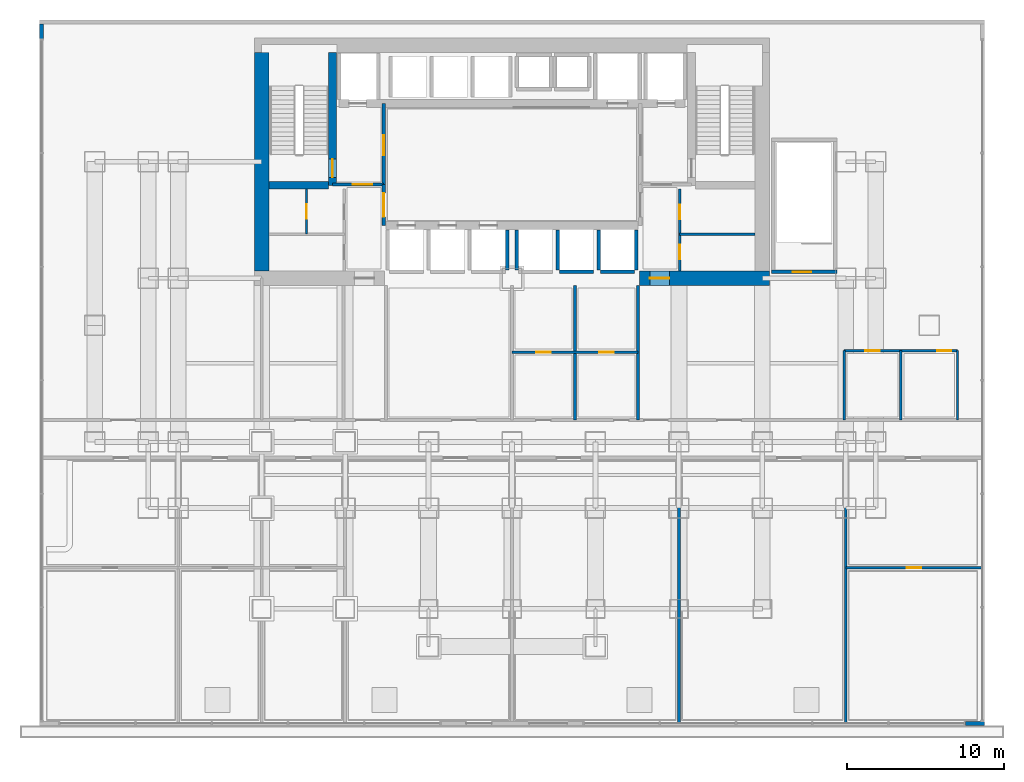
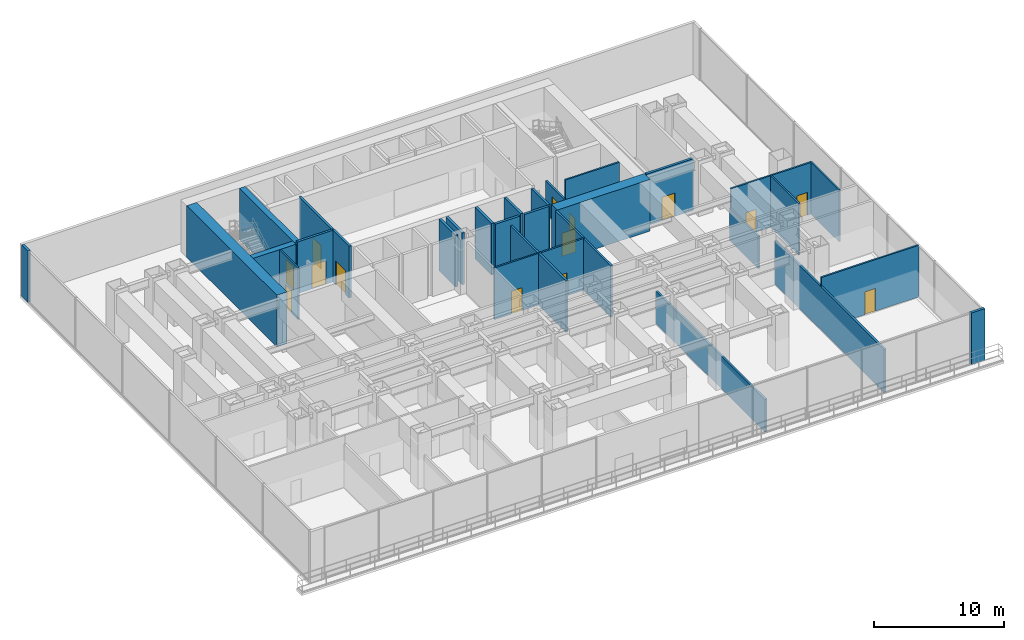
# One storey, part 9 of 12: 30 walls, 14 doors, 14 openings.
"""IFC4 building model written with IfcOpenShell, lengths in metres."""

from ifc_helpers import new_model, si_unit, direction, frame, frame_2d, origin, place, context, subcontext, project, spatial, rectangle, extrude, material, layer, layer_set, type_object, element, fill, save


model = new_model("IFC4")

# Units and contexts
model_context = context("Model", 3, precision=1e-05, world=origin(), true_north=direction((0.0, 1.0)))
body_context = subcontext(model_context, "Body", "Model", "MODEL_VIEW")
ifc_project = project(units=[si_unit("LENGTHUNIT", "METRE"), si_unit("AREAUNIT", "SQUARE_METRE"), si_unit("VOLUMEUNIT", "CUBIC_METRE"), si_unit("PLANEANGLEUNIT", "RADIAN"), si_unit("MASSUNIT", "GRAM", prefix="KILO")], contexts=[model_context])

# Site, building, storey
site_placement = place(None, origin())
site = spatial("IfcSite", under=ifc_project, at=site_placement, CompositionType="ELEMENT")
building_placement = place(site_placement, origin())
building = spatial("IfcBuilding", under=site, at=building_placement, Name="Qianlan Lanfeng Residences", CompositionType="ELEMENT")
storey_placement = place(building_placement, frame((0.0, 0.0, 19.0)))
storey = spatial("IfcBuildingStorey", under=building, at=storey_placement, Name="L04", CompositionType="ELEMENT", Elevation=19.0)

# Wall, opening, door
ifc_material_1 = material(Name="Concrete C70", Category="concrete")
ifc_layer_1 = layer(ifc_material_1, 0.5)
ifc_layer_set_1 = layer_set([ifc_layer_1], Name="Concrete C70")
wall_type_1 = type_object("IfcWallType", Name="CW-RC-500", PredefinedType="SHEAR", material=ifc_layer_set_1)
wall_1_placement = place(storey_placement, frame((15.10009765625, 31.10009765625, 0.0), z_axis=(0.0, 0.0, 1.0), x_axis=(0.0, 1.0, 0.0)))
wall_1 = element("IfcWall", 1, at=wall_1_placement, inside=storey, type_object=wall_type_1, Name="L04 Core Shear Wall ST1E", PredefinedType="SHEAR", context=body_context, shape_type="SweptSolid", body=[
    extrude(rectangle(XDim=8.449951171875, YDim=0.5, at=frame_2d((4.22509765625, 0.0))), origin(), (0.0, 0.0, 1.0), 4.860107421875),
])
opening_1_placement = place(wall_1_placement, frame((0.510009765625, 0.0, 0.0)))
opening_1 = element("IfcOpeningElement", 2, at=opening_1_placement, cuts=wall_1, Name="Opening L04-D07", PredefinedType="OPENING", context=body_context, shape_type="SweptSolid", body=[
    extrude(rectangle(XDim=1.14990234375, YDim=2.199951171875, at=frame_2d((0.574951171875, 1.10009765625))), frame((0.0, 0.260009765625, 0.0), z_axis=(0.0, -1.0, 0.0), x_axis=(1.0, 0.0, 0.0)), (0.0, 0.0, 1.0), 0.52001953125),
])
ifc_material_2 = material(Name="Painted Galvanised Steel Fire Door", Category="steel")
door_type_1 = type_object("IfcDoorType", Name="DT-ST1", OperationType="NOTDEFINED", PredefinedType="DOOR", material=ifc_material_2)
door_1_placement = place(opening_1_placement, frame((1.14990234375, 0.0, 0.0), z_axis=(0.0, 0.0, 1.0), x_axis=(-1.0, 0.0, 0.0)))
door_1 = element("IfcDoor", 3, at=door_1_placement, inside=storey, type_object=door_type_1, Name="L04 Exit Stair ST-1 Door L04-D07 (DT-ST1)", OperationType="SINGLE_SWING_RIGHT", OverallHeight=2.199951171875, OverallWidth=1.14990234375, PredefinedType="DOOR", context=body_context, shape_type="SweptSolid", body=[
    extrude(rectangle(XDim=1.14990234375, YDim=2.199951171875, at=frame_2d((0.574951171875, 1.10009765625))), frame((0.0, 0.02490234375, 0.0), z_axis=(0.0, -1.0, 0.0), x_axis=(1.0, 0.0, 0.0)), (0.0, 0.0, 1.0), 0.050048828125),
])
fill(opening_1, door_1)

# Walls
wall_2_placement = place(storey_placement, frame((11.050048828125, 31.10009765625, 0.0), z_axis=(0.0, 0.0, 1.0), x_axis=(1.0, 0.0, 0.0)))
element("IfcWall", 4, at=wall_2_placement, inside=storey, type_object=wall_type_1, Name="L04 Core Shear Wall ST1S", PredefinedType="SHEAR", context=body_context, shape_type="SweptSolid", body=[
    extrude(rectangle(XDim=3.800048828125, YDim=0.5, at=frame_2d((1.89990234375, 0.0))), origin(), (0.0, 0.0, 1.0), 4.860107421875),
])
ifc_layer_2 = layer(ifc_material_1, 0.89990234375)
ifc_layer_set_2 = layer_set([ifc_layer_2], Name="Concrete C70")
wall_type_2 = type_object("IfcWallType", Name="CW-RC-900", PredefinedType="SHEAR", material=ifc_layer_set_2)
wall_3_placement = place(storey_placement, frame((10.60009765625, 25.64990234375, 0.0), z_axis=(0.0, 0.0, 1.0), x_axis=(0.0, 1.0, 0.0)))
element("IfcWall", 5, at=wall_3_placement, inside=storey, type_object=wall_type_2, Name="L04 Core Shear Wall W", PredefinedType="SHEAR", context=body_context, shape_type="SweptSolid", body=[
    extrude(rectangle(XDim=13.900146484375, YDim=0.89990234375, at=frame_2d((6.9501953125, 0.0))), origin(), (0.0, 0.0, 1.0), 4.860107421875),
])

# Wall, opening, door
wall_4_placement = place(storey_placement, frame((34.60009765625, 25.199951171875, 0.0), z_axis=(0.0, 0.0, 1.0), x_axis=(1.0, 0.0, 0.0)))
wall_4 = element("IfcWall", 6, at=wall_4_placement, inside=storey, type_object=wall_type_2, Name="L04 Core Shear Wall SE", PredefinedType="SHEAR", context=body_context, shape_type="SweptSolid", body=[
    extrude(rectangle(XDim=8.25, YDim=0.89990234375, at=frame_2d((4.125, 0.0))), origin(), (0.0, 0.0, 1.0), 4.860107421875),
])
opening_2_placement = place(wall_4_placement, frame((0.64990234375, 0.0, 0.0)))
opening_2 = element("IfcOpeningElement", 7, at=opening_2_placement, cuts=wall_4, Name="Opening L04-D02", PredefinedType="OPENING", context=body_context, shape_type="SweptSolid", body=[
    extrude(rectangle(XDim=1.25, YDim=2.199951171875, at=frame_2d((0.625, 1.10009765625))), frame((0.0, 0.4599609375, 0.0), z_axis=(0.0, -1.0, 0.0), x_axis=(1.0, 0.0, 0.0)), (0.0, 0.0, 1.0), 0.919921875),
])
door_type_2 = type_object("IfcDoorType", Name="DT-FFL", OperationType="NOTDEFINED", PredefinedType="DOOR", material=ifc_material_2)
door_2_placement = place(opening_2_placement, frame((1.25, 0.0, 0.0), z_axis=(0.0, 0.0, 1.0), x_axis=(-1.0, 0.0, 0.0)))
door_2 = element("IfcDoor", 8, at=door_2_placement, inside=storey, type_object=door_type_2, Name="L04 East Core Lobby Smoke Door L04-D02 (DT-FFL)", OperationType="SINGLE_SWING_LEFT", OverallHeight=2.199951171875, OverallWidth=1.25, PredefinedType="DOOR", context=body_context, shape_type="SweptSolid", body=[
    extrude(rectangle(XDim=1.25, YDim=2.199951171875, at=frame_2d((0.625, 1.10009765625))), frame((0.0, 0.02490234375, 0.0), z_axis=(0.0, -1.0, 0.0), x_axis=(1.0, 0.0, 0.0)), (0.0, 0.0, 1.0), 0.050048828125),
])
fill(opening_2, door_2)

# Walls
ifc_material_3 = material(Name="Concrete C42", Category="concrete")
ifc_layer_3 = layer(ifc_material_3, 0.239990234375)
ifc_layer_set_3 = layer_set([ifc_layer_3], Name="Concrete C42")
wall_type_3 = type_object("IfcWallType", Name="EW-240", PredefinedType="SOLIDWALL", material=ifc_layer_set_3)
wall_5_placement = place(storey_placement, frame((55.300048828125, -3.080078125, 0.0), z_axis=(0.0, 0.0, 1.0), x_axis=(1.0, 0.0, 0.0)))
element("IfcWall", 9, at=wall_5_placement, inside=storey, type_object=wall_type_3, Name="L04 SE Corner Pier", PredefinedType="SOLIDWALL", context=body_context, shape_type="SweptSolid", body=[
    extrude(rectangle(XDim=1.199951171875, YDim=0.239990234375, at=frame_2d((0.60009765625, 0.0))), origin(), (0.0, 0.0, 1.0), 4.860107421875),
])
wall_6_placement = place(storey_placement, frame((-3.3798828125, 41.340087890625, 0.0), z_axis=(0.0, 0.0, 1.0), x_axis=(0.0, -1.0, 0.0)))
element("IfcWall", 10, at=wall_6_placement, inside=storey, type_object=wall_type_3, Name="L04 NW Corner Pier", PredefinedType="SOLIDWALL", context=body_context, shape_type="SweptSolid", body=[
    extrude(rectangle(XDim=0.940185546875, YDim=0.239990234375, at=frame_2d((0.47021484375, 0.0))), origin(), (0.0, 0.0, 1.0), 4.860107421875),
])

# Wall, opening, door
ifc_material_4 = material(Name="Acoustic Drywall Partition 150 mm")
ifc_layer_4 = layer(ifc_material_4, 0.14990234375)
ifc_layer_set_4 = layer_set([ifc_layer_4], Name="Acoustic Drywall Partition 150 mm")
wall_type_4 = type_object("IfcWallType", Name="PW-150", PredefinedType="PARTITIONING", material=ifc_layer_set_4)
wall_7_placement = place(storey_placement, frame((13.449951171875, 28.0, 0.0), z_axis=(0.0, 0.0, 1.0), x_axis=(0.0, 1.0, 0.0)))
wall_7 = element("IfcWall", 11, at=wall_7_placement, inside=storey, type_object=wall_type_4, Name="L04 Core West V4", PredefinedType="PARTITIONING", context=body_context, shape_type="SweptSolid", body=[
    extrude(rectangle(XDim=2.85009765625, YDim=0.14990234375, at=frame_2d((1.425048828125, 0.0))), origin(), (0.0, 0.0, 1.0), 4.860107421875),
])
opening_3_placement = place(wall_7_placement, frame((0.965087890625, 0.0, 0.0)))
opening_3 = element("IfcOpeningElement", 12, at=opening_3_placement, cuts=wall_7, Name="Opening L04-D11", PredefinedType="OPENING", context=body_context, shape_type="SweptSolid", body=[
    extrude(rectangle(XDim=0.919921875, YDim=2.14990234375, at=frame_2d((0.4599609375, 1.074951171875))), frame((0.0, 0.0849609375, 0.0), z_axis=(0.0, -1.0, 0.0), x_axis=(1.0, 0.0, 0.0)), (0.0, 0.0, 1.0), 0.169921875),
])
ifc_material_5 = material(Name="Glazed Timber Kitchen/Study Door", Category="wood")
door_type_3 = type_object("IfcDoorType", Name="DT-INT", OperationType="NOTDEFINED", PredefinedType="DOOR", material=ifc_material_5)
door_3_placement = place(opening_3_placement, origin())
door_3 = element("IfcDoor", 13, at=door_3_placement, inside=storey, type_object=door_type_3, Name="L04 Linen Store Door L04-D11 (DT-INT)", OperationType="SINGLE_SWING_LEFT", OverallHeight=2.14990234375, OverallWidth=0.919921875, PredefinedType="DOOR", context=body_context, shape_type="SweptSolid", body=[
    extrude(rectangle(XDim=0.919921875, YDim=2.14990234375, at=frame_2d((0.4599609375, 1.074951171875))), frame((0.0, 0.02490234375, 0.0), z_axis=(0.0, -1.0, 0.0), x_axis=(1.0, 0.0, 0.0)), (0.0, 0.0, 1.0), 0.050048828125),
])
fill(opening_3, door_3)

# Wall
wall_8_placement = place(storey_placement, frame((37.14990234375, 28.0, 0.0), z_axis=(0.0, 0.0, 1.0), x_axis=(1.0, 0.0, 0.0)))
element("IfcWall", 14, at=wall_8_placement, inside=storey, type_object=wall_type_4, Name="L04 Core East H4", PredefinedType="PARTITIONING", context=body_context, shape_type="SweptSolid", body=[
    extrude(rectangle(XDim=4.800048828125, YDim=0.14990234375, at=frame_2d((2.39990234375, 0.0))), origin(), (0.0, 0.0, 1.0), 4.860107421875),
])

# Wall, opening, door
wall_9_placement = place(storey_placement, frame((47.699951171875, 6.800048828125, 0.0), z_axis=(0.0, 0.0, 1.0), x_axis=(1.0, 0.0, 0.0)))
wall_9 = element("IfcWall", 15, at=wall_9_placement, inside=storey, type_object=wall_type_4, Name="L04 Executive Suite Inner Wall 4", PredefinedType="PARTITIONING", context=body_context, shape_type="SweptSolid", body=[
    extrude(rectangle(XDim=8.679931640625, YDim=0.14990234375, at=frame_2d((4.33984375, 0.0))), origin(), (0.0, 0.0, 1.0), 4.860107421875),
])
opening_4_placement = place(wall_9_placement, frame((3.8798828125, 0.0, 0.0)))
opening_4 = element("IfcOpeningElement", 16, at=opening_4_placement, cuts=wall_9, Name="Opening L04-D20", PredefinedType="OPENING", context=body_context, shape_type="SweptSolid", body=[
    extrude(rectangle(XDim=0.919921875, YDim=2.14990234375, at=frame_2d((0.4599609375, 1.074951171875))), frame((0.0, 0.0849609375, 0.0), z_axis=(0.0, -1.0, 0.0), x_axis=(1.0, 0.0, 0.0)), (0.0, 0.0, 1.0), 0.169921875),
])
door_4_placement = place(opening_4_placement, origin())
door_4 = element("IfcDoor", 17, at=door_4_placement, inside=storey, type_object=door_type_3, Name="L04 Executive Salon 4 Door L04-D20 (DT-INT)", OperationType="SINGLE_SWING_RIGHT", OverallHeight=2.14990234375, OverallWidth=0.919921875, PredefinedType="DOOR", context=body_context, shape_type="SweptSolid", body=[
    extrude(rectangle(XDim=0.919921875, YDim=2.14990234375, at=frame_2d((0.4599609375, 1.074951171875))), frame((0.0, 0.02490234375, 0.0), z_axis=(0.0, -1.0, 0.0), x_axis=(1.0, 0.0, 0.0)), (0.0, 0.0, 1.0), 0.050048828125),
])
fill(opening_4, door_4)

# Wall, openings, doors
wall_10_placement = place(storey_placement, frame((26.5, 20.5, 0.0), z_axis=(0.0, 0.0, 1.0), x_axis=(1.0, 0.0, 0.0)))
wall_10 = element("IfcWall", 18, at=wall_10_placement, inside=storey, type_object=wall_type_4, Name="L04 Catering Kitchen Back Wall", PredefinedType="PARTITIONING", context=body_context, shape_type="SweptSolid", body=[
    extrude(rectangle(XDim=8.0, YDim=0.14990234375, at=frame_2d((4.0, 0.0))), origin(), (0.0, 0.0, 1.0), 4.860107421875),
])
opening_5_placement = place(wall_10_placement, frame((1.5400390625, 0.0, 0.0)))
opening_5 = element("IfcOpeningElement", 19, at=opening_5_placement, cuts=wall_10, Name="Opening L04-D28", PredefinedType="OPENING", context=body_context, shape_type="SweptSolid", body=[
    extrude(rectangle(XDim=0.919921875, YDim=2.14990234375, at=frame_2d((0.4599609375, 1.074951171875))), frame((0.0, 0.0849609375, 0.0), z_axis=(0.0, -1.0, 0.0), x_axis=(1.0, 0.0, 0.0)), (0.0, 0.0, 1.0), 0.169921875),
])
opening_6_placement = place(wall_10_placement, frame((5.5400390625, 0.0, 0.0)))
opening_6 = element("IfcOpeningElement", 20, at=opening_6_placement, cuts=wall_10, Name="Opening L04-D29", PredefinedType="OPENING", context=body_context, shape_type="SweptSolid", body=[
    extrude(rectangle(XDim=0.919921875, YDim=2.14990234375, at=frame_2d((0.4599609375, 1.074951171875))), frame((0.0, 0.0849609375, 0.0), z_axis=(0.0, -1.0, 0.0), x_axis=(1.0, 0.0, 0.0)), (0.0, 0.0, 1.0), 0.169921875),
])
door_5_placement = place(opening_5_placement, origin())
door_5 = element("IfcDoor", 21, at=door_5_placement, inside=storey, type_object=door_type_3, Name="L04 Pantry Prep Kitchen Door L04-D28 (DT-INT)", OperationType="SINGLE_SWING_RIGHT", OverallHeight=2.14990234375, OverallWidth=0.919921875, PredefinedType="DOOR", context=body_context, shape_type="SweptSolid", body=[
    extrude(rectangle(XDim=0.919921875, YDim=2.14990234375, at=frame_2d((0.4599609375, 1.074951171875))), frame((0.0, 0.02490234375, 0.0), z_axis=(0.0, -1.0, 0.0), x_axis=(1.0, 0.0, 0.0)), (0.0, 0.0, 1.0), 0.050048828125),
])
fill(opening_5, door_5)
door_6_placement = place(opening_6_placement, origin())
door_6 = element("IfcDoor", 22, at=door_6_placement, inside=storey, type_object=door_type_3, Name="L04 Club Reading Salon Inner Door L04-D29 (DT-INT)", OperationType="SINGLE_SWING_LEFT", OverallHeight=2.14990234375, OverallWidth=0.919921875, PredefinedType="DOOR", context=body_context, shape_type="SweptSolid", body=[
    extrude(rectangle(XDim=0.919921875, YDim=2.14990234375, at=frame_2d((0.4599609375, 1.074951171875))), frame((0.0, 0.02490234375, 0.0), z_axis=(0.0, -1.0, 0.0), x_axis=(1.0, 0.0, 0.0)), (0.0, 0.0, 1.0), 0.050048828125),
])
fill(opening_6, door_6)

# Walls
wall_11_placement = place(storey_placement, frame((47.60009765625, 16.199951171875, 0.0), z_axis=(0.0, 0.0, 1.0), x_axis=(0.0, 1.0, 0.0)))
element("IfcWall", 23, at=wall_11_placement, inside=storey, type_object=wall_type_4, Name="L04 Restroom West Wall", PredefinedType="PARTITIONING", context=body_context, shape_type="SweptSolid", body=[
    extrude(rectangle(XDim=4.400146484375, YDim=0.14990234375, at=frame_2d((2.2001953125, 0.0))), origin(), (0.0, 0.0, 1.0), 3.054931640625),
])
for number, where, z_axis, x_axis, name in (
    (24, (51.199951171875, 16.199951171875, 0.0), (0.0, 0.0, 1.0), (0.0, 1.0, 0.0), "L04 Restroom Divider"),
    (25, (54.800048828125, 16.199951171875, 0.0), (0.0, 0.0, 1.0), (0.0, 1.0, 0.0), "L04 Restroom East Wall"),
):
    element("IfcWall", number, at=place(storey_placement, frame(where, z_axis=z_axis, x_axis=x_axis)), inside=storey, type_object=wall_type_4, Name=name, PredefinedType="PARTITIONING", context=body_context, shape_type="SweptSolid", body=[
        extrude(rectangle(XDim=4.400146484375, YDim=0.14990234375, at=frame_2d((2.2001953125, 0.0))), origin(), (0.0, 0.0, 1.0), 4.860107421875),
    ])

# Wall, openings, doors
wall_12_placement = place(storey_placement, frame((47.60009765625, 20.60009765625, 0.0), z_axis=(0.0, 0.0, 1.0), x_axis=(1.0, 0.0, 0.0)))
wall_12 = element("IfcWall", 26, at=wall_12_placement, inside=storey, type_object=wall_type_4, Name="L04 Restroom North Wall", PredefinedType="PARTITIONING", context=body_context, shape_type="SweptSolid", body=[
    extrude(rectangle(XDim=7.199951171875, YDim=0.14990234375, at=frame_2d((3.60009765625, 0.0))), origin(), (0.0, 0.0, 1.0), 4.860107421875),
])
opening_7_placement = place(wall_12_placement, frame((1.35009765625, 0.0, 0.0)))
opening_7 = element("IfcOpeningElement", 27, at=opening_7_placement, cuts=wall_12, Name="Opening L04-D38", PredefinedType="OPENING", context=body_context, shape_type="SweptSolid", body=[
    extrude(rectangle(XDim=0.89990234375, YDim=2.14990234375, at=frame_2d((0.449951171875, 1.074951171875))), frame((0.0, 0.0849609375, 0.0), z_axis=(0.0, -1.0, 0.0), x_axis=(1.0, 0.0, 0.0)), (0.0, 0.0, 1.0), 0.169921875),
])
opening_8_placement = place(wall_12_placement, frame((5.89990234375, 0.0, 0.0)))
opening_8 = element("IfcOpeningElement", 28, at=opening_8_placement, cuts=wall_12, Name="Opening L04-D39", PredefinedType="OPENING", context=body_context, shape_type="SweptSolid", body=[
    extrude(rectangle(XDim=0.89990234375, YDim=2.14990234375, at=frame_2d((0.449951171875, 1.074951171875))), frame((0.0, 0.0849609375, 0.0), z_axis=(0.0, -1.0, 0.0), x_axis=(1.0, 0.0, 0.0)), (0.0, 0.0, 1.0), 0.169921875),
])
ifc_material_6 = material(Name="Moisture-Resistant Timber Leaf", Category="wood")
door_type_4 = type_object("IfcDoorType", Name="DT-WC", OperationType="NOTDEFINED", PredefinedType="DOOR", material=ifc_material_6)
door_7_placement = place(opening_7_placement, origin())
door_7 = element("IfcDoor", 29, at=door_7_placement, inside=storey, type_object=door_type_4, Name="L04 Podium Public Restroom Door L04-D38 (DT-WC)", OperationType="SINGLE_SWING_RIGHT", OverallHeight=2.14990234375, OverallWidth=0.89990234375, PredefinedType="DOOR", context=body_context, shape_type="SweptSolid", body=[
    extrude(rectangle(XDim=0.89990234375, YDim=2.14990234375, at=frame_2d((0.449951171875, 1.074951171875))), frame((0.0, 0.02490234375, 0.0), z_axis=(0.0, -1.0, 0.0), x_axis=(1.0, 0.0, 0.0)), (0.0, 0.0, 1.0), 0.050048828125),
])
fill(opening_7, door_7)
door_8_placement = place(opening_8_placement, frame((0.89990234375, 0.0, 0.0), z_axis=(0.0, 0.0, 1.0), x_axis=(-1.0, 0.0, 0.0)))
door_8 = element("IfcDoor", 30, at=door_8_placement, inside=storey, type_object=door_type_4, Name="L04 Podium Accessible WC Door L04-D39 (DT-WC)", OperationType="SINGLE_SWING_LEFT", OverallHeight=2.14990234375, OverallWidth=0.89990234375, PredefinedType="DOOR", context=body_context, shape_type="SweptSolid", body=[
    extrude(rectangle(XDim=0.89990234375, YDim=2.14990234375, at=frame_2d((0.449951171875, 1.074951171875))), frame((0.0, 0.02490234375, 0.0), z_axis=(0.0, -1.0, 0.0), x_axis=(1.0, 0.0, 0.0)), (0.0, 0.0, 1.0), 0.050048828125),
])
fill(opening_8, door_8)

ifc_material_7 = material(Name="Double-Layer Acoustic Gypsum Stud Wall 180 mm")
ifc_layer_5 = layer(ifc_material_7, 0.179931640625)
ifc_layer_set_5 = layer_set([ifc_layer_5], Name="Double-Layer Acoustic Gypsum Stud Wall 180 mm")
wall_type_5 = type_object("IfcWallType", Name="PW-180", PredefinedType="PARTITIONING", material=ifc_layer_set_5)
wall_13_placement = place(storey_placement, frame((37.14990234375, 25.64990234375, 0.0), z_axis=(0.0, 0.0, 1.0), x_axis=(0.0, 1.0, 0.0)))
wall_13 = element("IfcWall", 31, at=wall_13_placement, inside=storey, type_object=wall_type_5, Name="L04 Core East Service Room Wall", PredefinedType="PARTITIONING", context=body_context, shape_type="SweptSolid", body=[
    extrude(rectangle(XDim=5.2001953125, YDim=0.179931640625, at=frame_2d((2.60009765625, 0.0))), origin(), (0.0, 0.0, 1.0), 3.054931640625),
])
opening_9_placement = place(wall_13_placement, frame((0.739990234375, 0.0, 0.0)))
opening_9 = element("IfcOpeningElement", 32, at=opening_9_placement, cuts=wall_13, Name="Opening L04-D12", PredefinedType="OPENING", context=body_context, shape_type="SweptSolid", body=[
    extrude(rectangle(XDim=0.919921875, YDim=2.14990234375, at=frame_2d((0.4599609375, 1.074951171875))), frame((0.0, 0.10009765625, 0.0), z_axis=(0.0, -1.0, 0.0), x_axis=(1.0, 0.0, 0.0)), (0.0, 0.0, 1.0), 0.199951171875),
])
opening_10_placement = place(wall_13_placement, frame((3.2900390625, 0.0, 0.0)))
opening_10 = element("IfcOpeningElement", 33, at=opening_10_placement, cuts=wall_13, Name="Opening L04-D13", PredefinedType="OPENING", context=body_context, shape_type="SweptSolid", body=[
    extrude(rectangle(XDim=0.919921875, YDim=2.14990234375, at=frame_2d((0.4599609375, 1.074951171875))), frame((0.0, 0.10009765625, 0.0), z_axis=(0.0, -1.0, 0.0), x_axis=(1.0, 0.0, 0.0)), (0.0, 0.0, 1.0), 0.199951171875),
])
door_9_placement = place(opening_9_placement, origin())
door_9 = element("IfcDoor", 34, at=door_9_placement, inside=storey, type_object=door_type_3, Name="L04 Mail Closet Door L04-D12 (DT-INT)", OperationType="SINGLE_SWING_LEFT", OverallHeight=2.14990234375, OverallWidth=0.919921875, PredefinedType="DOOR", context=body_context, shape_type="SweptSolid", body=[
    extrude(rectangle(XDim=0.919921875, YDim=2.14990234375, at=frame_2d((0.4599609375, 1.074951171875))), frame((0.0, 0.02490234375, 0.0), z_axis=(0.0, -1.0, 0.0), x_axis=(1.0, 0.0, 0.0)), (0.0, 0.0, 1.0), 0.050048828125),
])
fill(opening_9, door_9)
door_10_placement = place(opening_10_placement, origin())
door_10 = element("IfcDoor", 35, at=door_10_placement, inside=storey, type_object=door_type_3, Name="L04 Refuse Closet Door L04-D13 (DT-INT)", OperationType="SINGLE_SWING_LEFT", OverallHeight=2.14990234375, OverallWidth=0.919921875, PredefinedType="DOOR", context=body_context, shape_type="SweptSolid", body=[
    extrude(rectangle(XDim=0.919921875, YDim=2.14990234375, at=frame_2d((0.4599609375, 1.074951171875))), frame((0.0, 0.02490234375, 0.0), z_axis=(0.0, -1.0, 0.0), x_axis=(1.0, 0.0, 0.0)), (0.0, 0.0, 1.0), 0.050048828125),
])
fill(opening_10, door_10)

# Walls
wall_14_placement = place(storey_placement, frame((37.10009765625, -3.080078125, 0.0), z_axis=(0.0, 0.0, 1.0), x_axis=(0.0, 1.0, 0.0)))
element("IfcWall", 36, at=wall_14_placement, inside=storey, type_object=wall_type_5, Name="L04 South Suite Partition 5", PredefinedType="PARTITIONING", context=body_context, shape_type="SweptSolid", body=[
    extrude(rectangle(XDim=16.880126953125, YDim=0.179931640625, at=frame_2d((8.43994140625, 0.0))), origin(), (0.0, 0.0, 1.0), 3.054931640625),
])
wall_15_placement = place(storey_placement, frame((47.699951171875, -3.080078125, 0.0), z_axis=(0.0, 0.0, 1.0), x_axis=(0.0, 1.0, 0.0)))
element("IfcWall", 37, at=wall_15_placement, inside=storey, type_object=wall_type_5, Name="L04 South Suite Partition 6", PredefinedType="PARTITIONING", context=body_context, shape_type="SweptSolid", body=[
    extrude(rectangle(XDim=16.880126953125, YDim=0.179931640625, at=frame_2d((8.43994140625, 0.0))), origin(), (0.0, 0.0, 1.0), 4.054931640625),
])
for number, where, z_axis, x_axis, name in (
    (38, (30.5, 16.199951171875, 0.0), (0.0, 0.0, 1.0), (0.0, 1.0, 0.0), "L04 North Kitchen Split Wall"),
    (39, (34.5, 16.199951171875, 0.0), (0.0, 0.0, 1.0), (0.0, 1.0, 0.0), "L04 North Core East Passage Wall"),
):
    element("IfcWall", number, at=place(storey_placement, frame(where, z_axis=z_axis, x_axis=x_axis)), inside=storey, type_object=wall_type_5, Name=name, PredefinedType="PARTITIONING", context=body_context, shape_type="SweptSolid", body=[
        extrude(rectangle(XDim=8.550048828125, YDim=0.179931640625, at=frame_2d((4.27490234375, 0.0))), origin(), (0.0, 0.0, 1.0), 4.860107421875),
    ])

# Wall, opening, door
ifc_material_8 = material(Name="Autoclaved Aerated Concrete Blockwork 200 mm", Category="masonry")
ifc_layer_6 = layer(ifc_material_8, 0.199951171875)
ifc_layer_set_6 = layer_set([ifc_layer_6], Name="Autoclaved Aerated Concrete Blockwork 200 mm")
wall_type_6 = type_object("IfcWallType", Name="PW-200", PredefinedType="PARTITIONING", material=ifc_layer_set_6)
wall_16_placement = place(storey_placement, frame((15.10009765625, 31.14990234375, 0.0), z_axis=(0.0, 0.0, 1.0), x_axis=(1.0, 0.0, 0.0)))
wall_16 = element("IfcWall", 40, at=wall_16_placement, inside=storey, type_object=wall_type_6, Name="L04 Firefighting Lobby 1 South Wall", PredefinedType="PARTITIONING", context=body_context, shape_type="SweptSolid", body=[
    extrude(rectangle(XDim=3.25, YDim=0.199951171875, at=frame_2d((1.625, 0.0))), origin(), (0.0, 0.0, 1.0), 4.860107421875),
])
opening_11_placement = place(wall_16_placement, frame((1.27490234375, 0.0, 0.0)))
opening_11 = element("IfcOpeningElement", 41, at=opening_11_placement, cuts=wall_16, Name="Opening L04-D03", PredefinedType="OPENING", context=body_context, shape_type="SweptSolid", body=[
    extrude(rectangle(XDim=1.25, YDim=2.199951171875, at=frame_2d((0.625, 1.10009765625))), frame((0.0, 0.10986328125, 0.0), z_axis=(0.0, -1.0, 0.0), x_axis=(1.0, 0.0, 0.0)), (0.0, 0.0, 1.0), 0.219970703125),
])
door_11_placement = place(opening_11_placement, origin())
door_11 = element("IfcDoor", 42, at=door_11_placement, inside=storey, type_object=door_type_2, Name="L04 Firefighting Lobby 1 Entry Door L04-D03 (DT-FFL)", OperationType="SINGLE_SWING_LEFT", OverallHeight=2.199951171875, OverallWidth=1.25, PredefinedType="DOOR", context=body_context, shape_type="SweptSolid", body=[
    extrude(rectangle(XDim=1.25, YDim=2.199951171875, at=frame_2d((0.625, 1.10009765625))), frame((0.0, 0.02490234375, 0.0), z_axis=(0.0, -1.0, 0.0), x_axis=(1.0, 0.0, 0.0)), (0.0, 0.0, 1.0), 0.050048828125),
])
fill(opening_11, door_11)

wall_17_placement = place(storey_placement, frame((18.35009765625, 31.14990234375, 0.0), z_axis=(0.0, 0.0, 1.0), x_axis=(0.0, 1.0, 0.0)))
wall_17 = element("IfcWall", 43, at=wall_17_placement, inside=storey, type_object=wall_type_6, Name="L04 Firefighting Lobby 1 East Wall", PredefinedType="PARTITIONING", context=body_context, shape_type="SweptSolid", body=[
    extrude(rectangle(XDim=5.150146484375, YDim=0.199951171875, at=frame_2d((2.5751953125, 0.0))), origin(), (0.0, 0.0, 1.0), 4.860107421875),
])
opening_12_placement = place(wall_17_placement, frame((1.875, 0.0, 0.0)))
opening_12 = element("IfcOpeningElement", 44, at=opening_12_placement, cuts=wall_17, Name="Opening L04-D04", PredefinedType="OPENING", context=body_context, shape_type="SweptSolid", body=[
    extrude(rectangle(XDim=1.25, YDim=2.199951171875, at=frame_2d((0.625, 1.10009765625))), frame((0.0, 0.10986328125, 0.0), z_axis=(0.0, -1.0, 0.0), x_axis=(1.0, 0.0, 0.0)), (0.0, 0.0, 1.0), 0.219970703125),
])
door_12_placement = place(opening_12_placement, origin())
door_12 = element("IfcDoor", 45, at=door_12_placement, inside=storey, type_object=door_type_2, Name="L04 Firefighting Lobby 1 Lift Lobby Door L04-D04 (DT-FFL)", OperationType="SINGLE_SWING_RIGHT", OverallHeight=2.199951171875, OverallWidth=1.25, PredefinedType="DOOR", context=body_context, shape_type="SweptSolid", body=[
    extrude(rectangle(XDim=1.25, YDim=2.199951171875, at=frame_2d((0.625, 1.10009765625))), frame((0.0, 0.02490234375, 0.0), z_axis=(0.0, -1.0, 0.0), x_axis=(1.0, 0.0, 0.0)), (0.0, 0.0, 1.0), 0.050048828125),
])
fill(opening_12, door_12)

wall_18_placement = place(storey_placement, frame((18.35009765625, 28.550048828125, 0.0), z_axis=(0.0, 0.0, 1.0), x_axis=(0.0, 1.0, 0.0)))
wall_18 = element("IfcWall", 46, at=wall_18_placement, inside=storey, type_object=wall_type_6, Name="L04 Lift Lobby West Connector Wall", PredefinedType="PARTITIONING", context=body_context, shape_type="SweptSolid", body=[
    extrude(rectangle(XDim=2.599853515625, YDim=0.199951171875, at=frame_2d((1.2998046875, 0.0))), origin(), (0.0, 0.0, 1.0), 4.860107421875),
])
opening_13_placement = place(wall_18_placement, frame((0.550048828125, 0.0, 0.0)))
opening_13 = element("IfcOpeningElement", 47, at=opening_13_placement, cuts=wall_18, Name="Opening L04-D15", PredefinedType="OPENING", context=body_context, shape_type="SweptSolid", body=[
    extrude(rectangle(XDim=1.5, YDim=2.25, at=frame_2d((0.75, 1.125))), frame((0.0, 0.10986328125, 0.0), z_axis=(0.0, -1.0, 0.0), x_axis=(1.0, 0.0, 0.0)), (0.0, 0.0, 1.0), 0.219970703125),
])
ifc_material_9 = material(Name="Timber Veneer Acoustic Fire Door", Category="wood")
door_type_5 = type_object("IfcDoorType", Name="DT-COR1", OperationType="NOTDEFINED", PredefinedType="DOOR", material=ifc_material_9)
door_13_placement = place(opening_13_placement, origin())
door_13 = element("IfcDoor", 48, at=door_13_placement, inside=storey, type_object=door_type_5, Name="L04 Lift Lobby West Portal Door L04-D15 (DT-COR1)", OperationType="DOUBLE_DOOR_SINGLE_SWING", OverallHeight=2.25, OverallWidth=1.5, PredefinedType="DOOR", context=body_context, shape_type="SweptSolid", body=[
    extrude(rectangle(XDim=1.5, YDim=2.25, at=frame_2d((0.75, 1.125))), frame((0.0, 0.02490234375, 0.0), z_axis=(0.0, -1.0, 0.0), x_axis=(1.0, 0.0, 0.0)), (0.0, 0.0, 1.0), 0.050048828125),
])
fill(opening_13, door_13)

# Walls
ifc_material_10 = material(Name="Concrete C49", Category="concrete")
ifc_layer_7 = layer(ifc_material_10, 0.219970703125)
ifc_layer_set_7 = layer_set([ifc_layer_7], Name="Concrete C49")
wall_type_7 = type_object("IfcWallType", Name="SHW-220", PredefinedType="SOLIDWALL", material=ifc_layer_set_7)
for number, where, z_axis, x_axis, name in (
    (49, (26.199951171875, 25.719970703125, 0.0), (0.0, 0.0, 1.0), (0.0, 1.0, 0.0), "L04 Lift PL-L3 Shaft Wall E"),
    (50, (26.800048828125, 25.719970703125, 0.0), (0.0, 0.0, 1.0), (0.0, 1.0, 0.0), "L04 Lift PL-M1 Shaft Wall W"),
    (51, (29.39990234375, 25.719970703125, 0.0), (0.0, 0.0, 1.0), (0.0, 1.0, 0.0), "L04 Lift PL-M2 Shaft Wall W"),
):
    element("IfcWall", number, at=place(storey_placement, frame(where, z_axis=z_axis, x_axis=x_axis)), inside=storey, type_object=wall_type_7, Name=name, PredefinedType="SOLIDWALL", context=body_context, shape_type="SweptSolid", body=[
        extrude(rectangle(XDim=2.530029296875, YDim=0.219970703125, at=frame_2d((1.26513671875, 0.0))), origin(), (0.0, 0.0, 1.0), 4.860107421875),
    ])
wall_19_placement = place(storey_placement, frame((29.52001953125, 25.60009765625, 0.0), z_axis=(0.0, 0.0, 1.0), x_axis=(1.0, 0.0, 0.0)))
element("IfcWall", 52, at=wall_19_placement, inside=storey, type_object=wall_type_7, Name="L04 Lift PL-M2 Shaft Back Wall S", PredefinedType="SOLIDWALL", context=body_context, shape_type="SweptSolid", body=[
    extrude(rectangle(XDim=2.159912109375, YDim=0.219970703125, at=frame_2d((1.080078125, 0.0))), origin(), (0.0, 0.0, 1.0), 4.860107421875),
])
for number, where, z_axis, x_axis, name in (
    (53, (32.0, 25.719970703125, 0.0), (0.0, 0.0, 1.0), (0.0, 1.0, 0.0), "L04 Lift PL-M3 Shaft Wall W"),
    (54, (34.39990234375, 25.719970703125, 0.0), (0.0, 0.0, 1.0), (0.0, 1.0, 0.0), "L04 Lift PL-M3 Shaft Wall E"),
):
    element("IfcWall", number, at=place(storey_placement, frame(where, z_axis=z_axis, x_axis=x_axis)), inside=storey, type_object=wall_type_7, Name=name, PredefinedType="SOLIDWALL", context=body_context, shape_type="SweptSolid", body=[
        extrude(rectangle(XDim=2.530029296875, YDim=0.219970703125, at=frame_2d((1.26513671875, 0.0))), origin(), (0.0, 0.0, 1.0), 4.860107421875),
    ])
wall_20_placement = place(storey_placement, frame((32.1201171875, 25.60009765625, 0.0), z_axis=(0.0, 0.0, 1.0), x_axis=(1.0, 0.0, 0.0)))
element("IfcWall", 55, at=wall_20_placement, inside=storey, type_object=wall_type_7, Name="L04 Lift PL-M3 Shaft Back Wall S", PredefinedType="SOLIDWALL", context=body_context, shape_type="SweptSolid", body=[
    extrude(rectangle(XDim=2.159912109375, YDim=0.219970703125, at=frame_2d((1.080078125, 0.0))), origin(), (0.0, 0.0, 1.0), 4.860107421875),
])

# Wall, opening, door
ifc_layer_8 = layer(ifc_material_10, 0.219970703125)
ifc_layer_set_8 = layer_set([ifc_layer_8], Name="Concrete C49")
wall_type_8 = type_object("IfcWallType", Name="STW-RC-220", PredefinedType="SHEAR", material=ifc_layer_set_8)
wall_21_placement = place(storey_placement, frame((42.969970703125, 25.60009765625, 0.0), z_axis=(0.0, 0.0, 1.0), x_axis=(1.0, 0.0, 0.0)))
wall_21 = element("IfcWall", 56, at=wall_21_placement, inside=storey, type_object=wall_type_8, Name="L04 Stair ST-P1 Enclosure Wall S", PredefinedType="SHEAR", context=body_context, shape_type="SweptSolid", body=[
    extrude(rectangle(XDim=4.159912109375, YDim=0.219970703125, at=frame_2d((2.080078125, 0.0))), origin(), (0.0, 0.0, 1.0), 4.860107421875),
])
opening_14_placement = place(wall_21_placement, frame((1.375, 0.0, 0.0)))
opening_14 = element("IfcOpeningElement", 57, at=opening_14_placement, cuts=wall_21, Name="Opening L04-D14", PredefinedType="OPENING", context=body_context, shape_type="SweptSolid", body=[
    extrude(rectangle(XDim=1.14990234375, YDim=2.199951171875, at=frame_2d((0.574951171875, 1.10009765625))), frame((0.0, 0.1201171875, 0.0), z_axis=(0.0, -1.0, 0.0), x_axis=(1.0, 0.0, 0.0)), (0.0, 0.0, 1.0), 0.239990234375),
])
door_14_placement = place(opening_14_placement, origin())
door_14 = element("IfcDoor", 58, at=door_14_placement, inside=storey, type_object=door_type_1, Name="L04 Podium Exit Stair ST-P1 Door L04-D14 (DT-ST1)", OperationType="SINGLE_SWING_RIGHT", OverallHeight=2.199951171875, OverallWidth=1.14990234375, PredefinedType="DOOR", context=body_context, shape_type="SweptSolid", body=[
    extrude(rectangle(XDim=1.14990234375, YDim=2.199951171875, at=frame_2d((0.574951171875, 1.10009765625))), frame((0.0, 0.02490234375, 0.0), z_axis=(0.0, -1.0, 0.0), x_axis=(1.0, 0.0, 0.0)), (0.0, 0.0, 1.0), 0.050048828125),
])
fill(opening_14, door_14)

save(model, "model.ifc")
